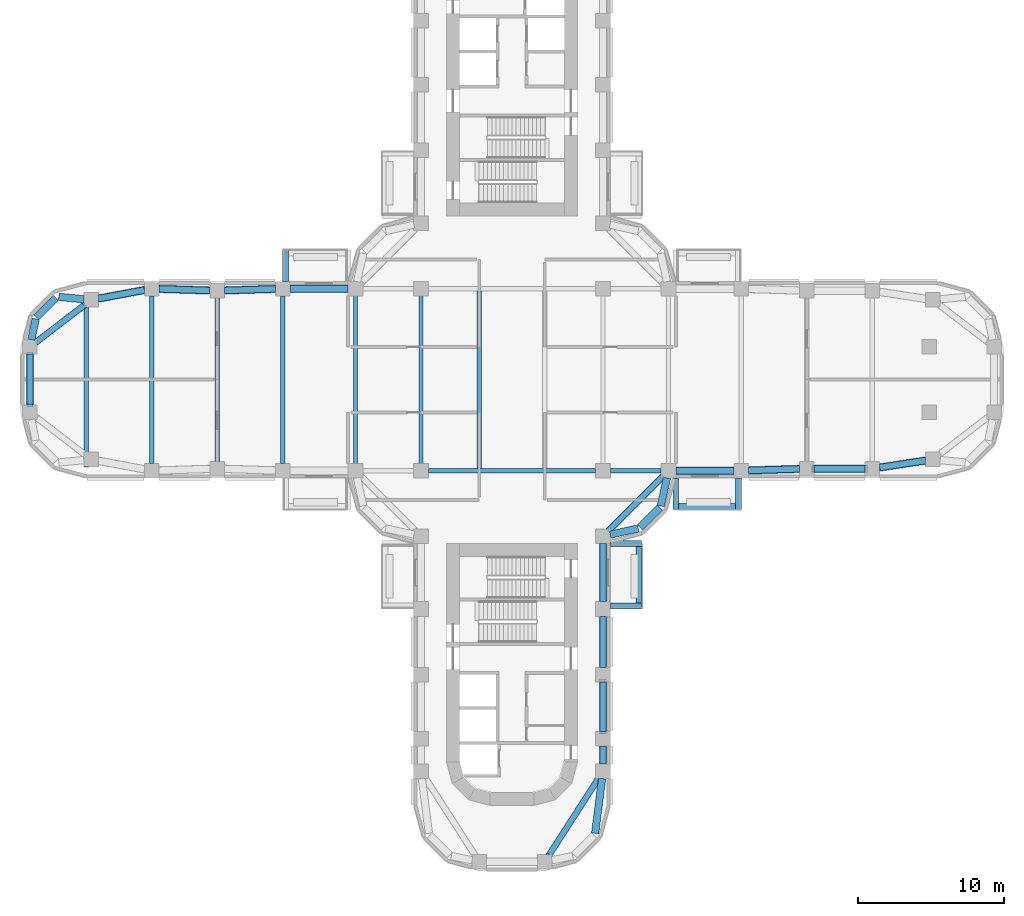
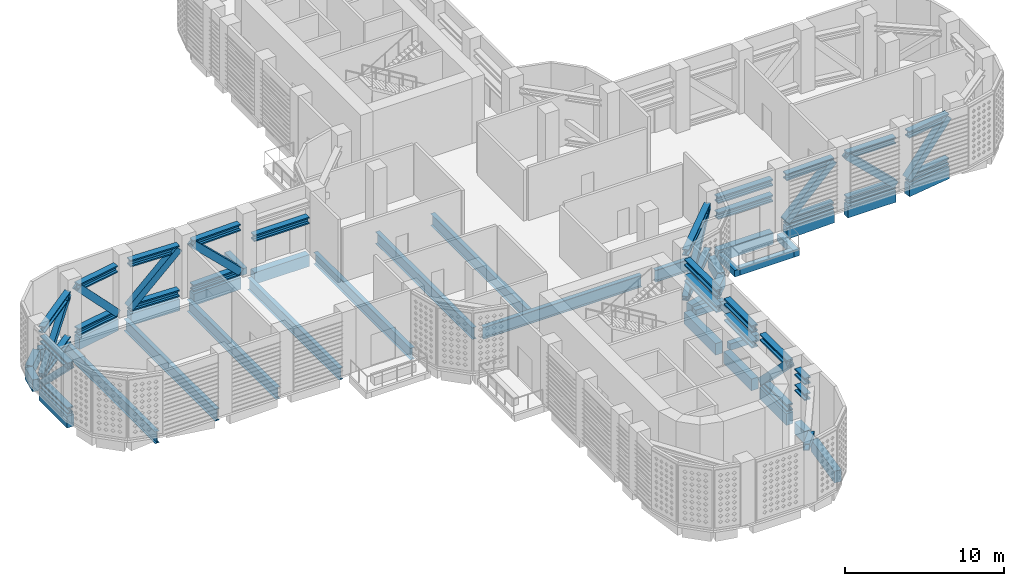
# One storey, part 2 of 20: 40 members, 36 beams.
"""IFC4 building model written with IfcOpenShell, lengths in metres."""

from ifc_helpers import new_model, si_unit, direction, frame, origin, origin_2d, place, context, subcontext, project, spatial, rectangle, hollow_rectangle, i_section, extrude, material, material_profile, profile_set, type_object, element, save


model = new_model("IFC4")

# Units and contexts
model_context = context("Model", 3, precision=1e-05, world=origin(), true_north=direction((0.0, 1.0)))
body_context = subcontext(model_context, "Body", "Model", "MODEL_VIEW")
ifc_project = project(units=[si_unit("LENGTHUNIT", "METRE"), si_unit("AREAUNIT", "SQUARE_METRE"), si_unit("VOLUMEUNIT", "CUBIC_METRE"), si_unit("PLANEANGLEUNIT", "RADIAN"), si_unit("MASSUNIT", "GRAM", prefix="KILO")], contexts=[model_context])

# Site, building, storey
site_placement = place(None, origin())
site = spatial("IfcSite", under=ifc_project, at=site_placement, CompositionType="ELEMENT")
building_placement = place(site_placement, origin())
building = spatial("IfcBuilding", under=site, at=building_placement, Name="Zarbagh Exchange Tower", CompositionType="ELEMENT")
storey_placement = place(building_placement, frame((0.0, 0.0, 81.60009765625)))
storey = spatial("IfcBuildingStorey", under=building, at=storey_placement, Name="L18", CompositionType="ELEMENT", Elevation=81.60009765625)

# Members
ifc_material_1 = material(Name="Steel ASTM A992 Gr 50", Category="steel")
ifc_material_profile_1 = material_profile(ifc_material_1, i_section(OverallWidth=0.4267578125, OverallDepth=0.482666015625, WebThickness=0.05126953125, FlangeThickness=0.08154296875, at=origin_2d()), Name="W14X455")
ifc_profile_set_1 = profile_set([ifc_material_profile_1], Name="Steel ASTM A992 Gr 50")
member_type_1 = type_object("IfcMemberType", Name="Belt truss chord W14X455", PredefinedType="CHORD", material=ifc_profile_set_1)
for number, where, z_axis, x_axis, name in (
    (1, (-33.110107421875, -1.75, 0.2412109375), (0.0, 1.0, 0.0), (-1.0, 0.0, 0.0), "Belt truss chord"),
    (2, (-33.110107421875, -1.75, 3.688720703125), (0.0, 1.0, 0.0), (-1.0, 0.0, 0.0), "Belt truss chord"),
):
    element("IfcMember", number, at=place(storey_placement, frame(where, z_axis=z_axis, x_axis=x_axis)), inside=storey, type_object=member_type_1, Name=name, PredefinedType="CHORD", context=body_context, shape_type="SweptSolid", body=[
        extrude(i_section(OverallWidth=0.4267578125, OverallDepth=0.482666015625, WebThickness=0.05126953125, FlangeThickness=0.08154296875, at=origin_2d()), origin(), (0.0, 0.0, 1.0), 3.5),
    ])
for number, where, z_axis, x_axis, name in (
    (3, (-32.71337890625, 2.554443359375, 0.2412109375), (0.79328252181, 0.608853710336, 0.0), (-0.608853710336, 0.79328252181, 0.0), "Belt truss chord"),
    (4, (-32.71337890625, 2.554443359375, 3.688720703125), (0.79328252181, 0.608853710336, 0.0), (-0.608853710336, 0.79328252181, 0.0), "Belt truss chord"),
):
    element("IfcMember", number, at=place(storey_placement, frame(where, z_axis=z_axis, x_axis=x_axis)), inside=storey, type_object=member_type_1, Name=name, PredefinedType="CHORD", context=body_context, shape_type="SweptSolid", body=[
        extrude(i_section(OverallWidth=0.4267578125, OverallDepth=0.482666015625, WebThickness=0.05126953125, FlangeThickness=0.08154296875, at=origin_2d()), origin(), (0.0, 0.0, 1.0), 4.296875),
    ])
for number, where, z_axis, x_axis, name in (
    (5, (10.396484375, -6.603515625, 0.2412109375), (-0.707106781187, -0.707106781187, 0.0), (0.707106781187, -0.707106781187, 0.0), "Belt truss chord"),
    (6, (10.396484375, -6.603515625, 3.688720703125), (-0.707106781187, -0.707106781187, 0.0), (0.707106781187, -0.707106781187, 0.0), "Belt truss chord"),
):
    element("IfcMember", number, at=place(storey_placement, frame(where, z_axis=z_axis, x_axis=x_axis)), inside=storey, type_object=member_type_1, Name=name, PredefinedType="CHORD", context=body_context, shape_type="SweptSolid", body=[
        extrude(i_section(OverallWidth=0.4267578125, OverallDepth=0.482666015625, WebThickness=0.05126953125, FlangeThickness=0.08154296875, at=origin_2d()), origin(), (0.0, 0.0, 1.0), 5.364013671875),
    ])
ifc_material_2 = material(Name="Steel ASTM A500 Gr C", Category="steel")
ifc_material_profile_2 = material_profile(ifc_material_2, hollow_rectangle(XDim=0.406494140625, YDim=0.406494140625, WallThickness=0.017578125, at=origin_2d()), Name="HSS16X16X3/4")
ifc_profile_set_2 = profile_set([ifc_material_profile_2], Name="Steel ASTM A500 Gr C")
member_type_2 = type_object("IfcMemberType", Name="Belt truss diagonal HSS16X16X3/4", PredefinedType="BRACE", material=ifc_profile_set_2)
member_1_placement = place(storey_placement, frame((-33.110107421875, 1.75, 0.2412109375), z_axis=(0.0, -0.712428822808, 0.701744378269), x_axis=(1.0, 0.0, 0.0)))
element("IfcMember", 7, at=member_1_placement, inside=storey, type_object=member_type_2, Name="Belt truss diagonal", PredefinedType="BRACE", context=body_context, shape_type="SweptSolid", body=[
    extrude(hollow_rectangle(XDim=0.406494140625, YDim=0.406494140625, WallThickness=0.017578125, at=origin_2d()), origin(), (0.0, 0.0, 1.0), 4.912841796875),
])
member_2_placement = place(storey_placement, frame((-32.71337890625, 2.554443359375, 0.2412109375), z_axis=(0.618749784996, 0.47489777224, 0.625796140519), x_axis=(-0.608853710336, 0.79328252181, 0.0)))
element("IfcMember", 8, at=member_2_placement, inside=storey, type_object=member_type_2, Name="Belt truss diagonal", PredefinedType="BRACE", context=body_context, shape_type="SweptSolid", body=[
    extrude(hollow_rectangle(XDim=0.406494140625, YDim=0.406494140625, WallThickness=0.017578125, at=origin_2d()), origin(), (0.0, 0.0, 1.0), 5.509033203125),
])
member_3_placement = place(storey_placement, frame((6.603515625, -10.396484375, 0.2412109375), z_axis=(0.594844341876, 0.594844341876, 0.540666642097), x_axis=(-0.707106781187, 0.707106781187, 0.0)))
element("IfcMember", 9, at=member_3_placement, inside=storey, type_object=member_type_2, Name="Belt truss diagonal", PredefinedType="BRACE", context=body_context, shape_type="SweptSolid", body=[
    extrude(hollow_rectangle(XDim=0.406494140625, YDim=0.406494140625, WallThickness=0.017578125, at=origin_2d()), origin(), (0.0, 0.0, 1.0), 6.37646484375),
])
member_4_placement = place(storey_placement, frame((5.979248046875, -27.3203125, 0.2412109375), z_axis=(-0.476516067922, -0.739800782281, 0.475002357414), x_axis=(0.840697493051, -0.541505055543, 0.0)))
element("IfcMember", 10, at=member_4_placement, inside=storey, type_object=member_type_2, Name="Belt truss diagonal", PredefinedType="BRACE", context=body_context, shape_type="SweptSolid", body=[
    extrude(hollow_rectangle(XDim=0.406494140625, YDim=0.406494140625, WallThickness=0.017578125, at=origin_2d()), origin(), (0.0, 0.0, 1.0), 7.2578125),
])

# Beams
ifc_material_profile_3 = material_profile(ifc_material_1, i_section(OverallWidth=0.3046875, OverallDepth=0.904296875, WebThickness=0.01513671875, FlangeThickness=0.02001953125, at=origin_2d()), Name="W36X135")
ifc_profile_set_3 = profile_set([ifc_material_profile_3], Name="Steel ASTM A992 Gr 50")
beam_type_1 = type_object("IfcBeamType", Name="Floor beam W36X135", PredefinedType="BEAM", material=ifc_profile_set_3)
for number, where, z_axis, x_axis, name in (
    (11, (-10.75, -6.09765625, -0.602294921875), (0.0, 1.0, 0.0), (-1.0, 0.0, 0.0), "Steel floor beam"),
    (12, (-6.25, -6.09765625, -0.602294921875), (0.0, 1.0, 0.0), (-1.0, 0.0, 0.0), "Steel floor beam"),
    (13, (-2.25, -6.09765625, -0.602294921875), (0.0, 1.0, 0.0), (-1.0, 0.0, 0.0), "Steel floor beam"),
):
    element("IfcBeam", number, at=place(storey_placement, frame(where, z_axis=z_axis, x_axis=x_axis)), inside=storey, type_object=beam_type_1, Name=name, PredefinedType="BEAM", context=body_context, shape_type="SweptSolid", body=[
        extrude(i_section(OverallWidth=0.3046875, OverallDepth=0.904296875, WebThickness=0.01513671875, FlangeThickness=0.02001953125, at=origin_2d()), origin(), (0.0, 0.0, 1.0), 12.1953125),
    ])
beam_1_placement = place(storey_placement, frame((-15.75, -5.75, -0.602294921875), z_axis=(0.0, 1.0, 0.0), x_axis=(-1.0, 0.0, 0.0)))
element("IfcBeam", 14, at=beam_1_placement, inside=storey, type_object=beam_type_1, Name="Steel floor beam", PredefinedType="BEAM", context=body_context, shape_type="SweptSolid", body=[
    extrude(i_section(OverallWidth=0.3046875, OverallDepth=0.904296875, WebThickness=0.01513671875, FlangeThickness=0.02001953125, at=origin_2d()), origin(), (0.0, 0.0, 1.0), 11.5),
])
beam_2_placement = place(storey_placement, frame((-20.25, -5.610107421875, -0.602294921875), z_axis=(0.0, 1.0, 0.0), x_axis=(-1.0, 0.0, 0.0)))
element("IfcBeam", 15, at=beam_2_placement, inside=storey, type_object=beam_type_1, Name="Steel floor beam", PredefinedType="BEAM", context=body_context, shape_type="SweptSolid", body=[
    extrude(i_section(OverallWidth=0.3046875, OverallDepth=0.904296875, WebThickness=0.01513671875, FlangeThickness=0.02001953125, at=origin_2d()), origin(), (0.0, 0.0, 1.0), 11.22021484375),
])
beam_3_placement = place(storey_placement, frame((-24.75, -5.75, -0.602294921875), z_axis=(0.0, 1.0, 0.0), x_axis=(-1.0, 0.0, 0.0)))
element("IfcBeam", 16, at=beam_3_placement, inside=storey, type_object=beam_type_1, Name="Steel floor beam", PredefinedType="BEAM", context=body_context, shape_type="SweptSolid", body=[
    extrude(i_section(OverallWidth=0.3046875, OverallDepth=0.904296875, WebThickness=0.01513671875, FlangeThickness=0.02001953125, at=origin_2d()), origin(), (0.0, 0.0, 1.0), 11.5),
])
beam_4_placement = place(storey_placement, frame((-29.25, -6.0, -0.602294921875), z_axis=(0.0, 1.0, 0.0), x_axis=(-1.0, 0.0, 0.0)))
element("IfcBeam", 17, at=beam_4_placement, inside=storey, type_object=beam_type_1, Name="Steel floor beam", PredefinedType="BEAM", context=body_context, shape_type="SweptSolid", body=[
    extrude(i_section(OverallWidth=0.3046875, OverallDepth=0.904296875, WebThickness=0.01513671875, FlangeThickness=0.02001953125, at=origin_2d()), origin(), (0.0, 0.0, 1.0), 12.0),
])
ifc_material_profile_4 = material_profile(ifc_material_1, i_section(OverallWidth=0.3046875, OverallDepth=0.91943359375, WebThickness=0.017333984375, FlangeThickness=0.02783203125, at=origin_2d()), Name="W36X170")
ifc_profile_set_4 = profile_set([ifc_material_profile_4], Name="Steel ASTM A992 Gr 50")
beam_type_2 = type_object("IfcBeamType", Name="Floor girder W36X170", PredefinedType="BEAM", material=ifc_profile_set_4)
beam_5_placement = place(storey_placement, frame((-5.75, -6.25, -0.60986328125), z_axis=(1.0, 0.0, 0.0), x_axis=(0.0, 1.0, 0.0)))
element("IfcBeam", 18, at=beam_5_placement, inside=storey, type_object=beam_type_2, Name="Steel girder", PredefinedType="BEAM", context=body_context, shape_type="SweptSolid", body=[
    extrude(i_section(OverallWidth=0.3046875, OverallDepth=0.91943359375, WebThickness=0.017333984375, FlangeThickness=0.02783203125, at=origin_2d()), origin(), (0.0, 0.0, 1.0), 11.5),
])
beam_6_placement = place(storey_placement, frame((6.75, -6.25, -0.60986328125), z_axis=(1.0, 0.0, 0.0), x_axis=(0.0, 1.0, 0.0)))
element("IfcBeam", 19, at=beam_6_placement, inside=storey, type_object=beam_type_2, Name="Steel girder", PredefinedType="BEAM", context=body_context, shape_type="SweptSolid", body=[
    extrude(i_section(OverallWidth=0.3046875, OverallDepth=0.91943359375, WebThickness=0.017333984375, FlangeThickness=0.02783203125, at=origin_2d()), origin(), (0.0, 0.0, 1.0), 3.5),
])

# Members
ifc_material_profile_5 = material_profile(ifc_material_1, i_section(OverallWidth=0.43701171875, OverallDepth=0.51318359375, WebThickness=0.060546875, FlangeThickness=0.096923828125, at=origin_2d()), Name="W14X550")
ifc_profile_set_5 = profile_set([ifc_material_profile_5], Name="Steel ASTM A992 Gr 50")
member_type_3 = type_object("IfcMemberType", Name="Outrigger truss chord W14X550", PredefinedType="CHORD", material=ifc_profile_set_5)
for number, where, z_axis, x_axis, name in (
    (20, (-28.41650390625, 5.566650390625, 0.256591796875), (0.983069300761, 0.183234139565, 0.0), (-0.183234139565, 0.983069300761, 0.0), "Outrigger truss chord"),
    (21, (-28.41650390625, 5.566650390625, 3.67333984375), (0.983069300761, 0.183234139565, 0.0), (-0.183234139565, 0.983069300761, 0.0), "Outrigger truss chord"),
):
    element("IfcMember", number, at=place(storey_placement, frame(where, z_axis=z_axis, x_axis=x_axis)), inside=storey, type_object=member_type_3, Name=name, PredefinedType="CHORD", context=body_context, shape_type="SweptSolid", body=[
        extrude(i_section(OverallWidth=0.43701171875, OverallDepth=0.51318359375, WebThickness=0.060546875, FlangeThickness=0.096923828125, at=origin_2d()), origin(), (0.0, 0.0, 1.0), 3.229736328125),
    ])
for number, where, z_axis, x_axis, name in (
    (22, (-24.250244140625, 6.234619140625, 0.256591796875), (0.999514385708, -0.031160756759, 0.0), (0.031160756759, 0.999514385708, 0.0), "Outrigger truss chord"),
    (23, (-24.250244140625, 6.234619140625, 3.67333984375), (0.999514385708, -0.031160756759, 0.0), (0.031160756759, 0.999514385708, 0.0), "Outrigger truss chord"),
    (24, (-19.750244140625, 6.12548828125, 0.256591796875), (0.999514385708, 0.031160756759, 0.0), (-0.031160756759, 0.999514385708, 0.0), "Outrigger truss chord"),
    (25, (-19.750244140625, 6.12548828125, 3.67333984375), (0.999514385708, 0.031160756759, 0.0), (-0.031160756759, 0.999514385708, 0.0), "Outrigger truss chord"),
):
    element("IfcMember", number, at=place(storey_placement, frame(where, z_axis=z_axis, x_axis=x_axis)), inside=storey, type_object=member_type_3, Name=name, PredefinedType="CHORD", context=body_context, shape_type="SweptSolid", body=[
        extrude(i_section(OverallWidth=0.43701171875, OverallDepth=0.51318359375, WebThickness=0.060546875, FlangeThickness=0.096923828125, at=origin_2d()), origin(), (0.0, 0.0, 1.0), 3.502197265625),
    ])
member_5_placement = place(storey_placement, frame((-15.25, 6.25, 2.45654296875), z_axis=(1.0, 0.0, 0.0), x_axis=(0.0, 1.0, 0.0)))
element("IfcMember", 26, at=member_5_placement, inside=storey, type_object=member_type_3, Name="Outrigger truss chord", PredefinedType="CHORD", context=body_context, shape_type="SweptSolid", body=[
    extrude(i_section(OverallWidth=0.43701171875, OverallDepth=0.51318359375, WebThickness=0.060546875, FlangeThickness=0.096923828125, at=origin_2d()), origin(), (0.0, 0.0, 1.0), 4.0),
])
for number, where, z_axis, x_axis, name in (
    (27, (28.413818359375, -5.550537109375, 0.256591796875), (-0.988545350976, -0.150924116903, 0.0), (0.150924116903, -0.988545350976, 0.0), "Outrigger truss chord"),
    (28, (28.413818359375, -5.550537109375, 3.67333984375), (-0.988545350976, -0.150924116903, 0.0), (0.150924116903, -0.988545350976, 0.0), "Outrigger truss chord"),
):
    element("IfcMember", number, at=place(storey_placement, frame(where, z_axis=z_axis, x_axis=x_axis)), inside=storey, type_object=member_type_3, Name=name, PredefinedType="CHORD", context=body_context, shape_type="SweptSolid", body=[
        extrude(i_section(OverallWidth=0.43701171875, OverallDepth=0.51318359375, WebThickness=0.060546875, FlangeThickness=0.096923828125, at=origin_2d()), origin(), (0.0, 0.0, 1.0), 3.2060546875),
    ])
for number, where, z_axis, x_axis, name in (
    (29, (24.25, -6.110107421875, 0.256591796875), (-1.0, 0.0, 0.0), (0.0, -1.0, 0.0), "Outrigger truss chord"),
    (30, (24.25, -6.110107421875, 3.67333984375), (-1.0, 0.0, 0.0), (0.0, -1.0, 0.0), "Outrigger truss chord"),
):
    element("IfcMember", number, at=place(storey_placement, frame(where, z_axis=z_axis, x_axis=x_axis)), inside=storey, type_object=member_type_3, Name=name, PredefinedType="CHORD", context=body_context, shape_type="SweptSolid", body=[
        extrude(i_section(OverallWidth=0.43701171875, OverallDepth=0.51318359375, WebThickness=0.060546875, FlangeThickness=0.096923828125, at=origin_2d()), origin(), (0.0, 0.0, 1.0), 3.5),
    ])
for number, where, z_axis, x_axis, name in (
    (31, (19.750244140625, -6.12548828125, 0.256591796875), (-0.999514385708, -0.031160756759, 0.0), (0.031160756759, -0.999514385708, 0.0), "Outrigger truss chord"),
    (32, (19.750244140625, -6.12548828125, 3.67333984375), (-0.999514385708, -0.031160756759, 0.0), (0.031160756759, -0.999514385708, 0.0), "Outrigger truss chord"),
):
    element("IfcMember", number, at=place(storey_placement, frame(where, z_axis=z_axis, x_axis=x_axis)), inside=storey, type_object=member_type_3, Name=name, PredefinedType="CHORD", context=body_context, shape_type="SweptSolid", body=[
        extrude(i_section(OverallWidth=0.43701171875, OverallDepth=0.51318359375, WebThickness=0.060546875, FlangeThickness=0.096923828125, at=origin_2d()), origin(), (0.0, 0.0, 1.0), 3.502197265625),
    ])
for number, where, z_axis, x_axis, name in (
    (33, (15.25, -6.25, 2.45654296875), (-1.0, 0.0, 0.0), (0.0, -1.0, 0.0), "Outrigger truss chord"),
    (34, (15.25, -6.25, 3.67333984375), (-1.0, 0.0, 0.0), (0.0, -1.0, 0.0), "Outrigger truss chord"),
    (35, (6.25, -11.25, 2.45654296875), (0.0, -1.0, 0.0), (1.0, 0.0, 0.0), "Outrigger truss chord"),
    (36, (6.25, -11.25, 3.67333984375), (0.0, -1.0, 0.0), (1.0, 0.0, 0.0), "Outrigger truss chord"),
):
    element("IfcMember", number, at=place(storey_placement, frame(where, z_axis=z_axis, x_axis=x_axis)), inside=storey, type_object=member_type_3, Name=name, PredefinedType="CHORD", context=body_context, shape_type="SweptSolid", body=[
        extrude(i_section(OverallWidth=0.43701171875, OverallDepth=0.51318359375, WebThickness=0.060546875, FlangeThickness=0.096923828125, at=origin_2d()), origin(), (0.0, 0.0, 1.0), 4.0),
    ])
for number, where, z_axis, x_axis, name in (
    (37, (6.25, -16.25, 2.45654296875), (0.0, -1.0, 0.0), (1.0, 0.0, 0.0), "Outrigger truss chord"),
    (38, (6.25, -16.25, 3.67333984375), (0.0, -1.0, 0.0), (1.0, 0.0, 0.0), "Outrigger truss chord"),
):
    element("IfcMember", number, at=place(storey_placement, frame(where, z_axis=z_axis, x_axis=x_axis)), inside=storey, type_object=member_type_3, Name=name, PredefinedType="CHORD", context=body_context, shape_type="SweptSolid", body=[
        extrude(i_section(OverallWidth=0.43701171875, OverallDepth=0.51318359375, WebThickness=0.060546875, FlangeThickness=0.096923828125, at=origin_2d()), origin(), (0.0, 0.0, 1.0), 3.5),
    ])
for number, where, z_axis, x_axis, name in (
    (39, (6.25, -20.75, 0.256591796875), (0.0, -1.0, 0.0), (1.0, 0.0, 0.0), "Outrigger truss chord"),
    (40, (6.25, -20.75, 3.67333984375), (0.0, -1.0, 0.0), (1.0, 0.0, 0.0), "Outrigger truss chord"),
):
    element("IfcMember", number, at=place(storey_placement, frame(where, z_axis=z_axis, x_axis=x_axis)), inside=storey, type_object=member_type_3, Name=name, PredefinedType="CHORD", context=body_context, shape_type="SweptSolid", body=[
        extrude(i_section(OverallWidth=0.43701171875, OverallDepth=0.51318359375, WebThickness=0.060546875, FlangeThickness=0.096923828125, at=origin_2d()), origin(), (0.0, 0.0, 1.0), 3.39990234375),
    ])
for number, where, z_axis, x_axis, name in (
    (41, (6.25, -25.14990234375, 2.45654296875), (0.0, -1.0, 0.0), (1.0, 0.0, 0.0), "Outrigger truss chord"),
    (42, (6.25, -25.14990234375, 3.67333984375), (0.0, -1.0, 0.0), (1.0, 0.0, 0.0), "Outrigger truss chord"),
):
    element("IfcMember", number, at=place(storey_placement, frame(where, z_axis=z_axis, x_axis=x_axis)), inside=storey, type_object=member_type_3, Name=name, PredefinedType="CHORD", context=body_context, shape_type="SweptSolid", body=[
        extrude(i_section(OverallWidth=0.43701171875, OverallDepth=0.51318359375, WebThickness=0.060546875, FlangeThickness=0.096923828125, at=origin_2d()), origin(), (0.0, 0.0, 1.0), 1.25),
    ])
ifc_material_3 = material(Name="Steel ASTM A1085 Grade A", Category="steel")
ifc_material_profile_6 = material_profile(ifc_material_3, hollow_rectangle(XDim=0.508056640625, YDim=0.508056640625, WallThickness=0.025390625, at=origin_2d()), Name="HSS20X20X1")
ifc_profile_set_6 = profile_set([ifc_material_profile_6], Name="Steel ASTM A1085 Grade A")
member_type_4 = type_object("IfcMemberType", Name="Outrigger truss diagonal HSS20X20X1", PredefinedType="BRACE", material=ifc_profile_set_6)
member_6_placement = place(storey_placement, frame((-25.241455078125, 6.158447265625, 0.256591796875), z_axis=(-0.675308083523, -0.125870572431, 0.726715619293), x_axis=(0.183234139565, -0.983069300761, 0.0)))
element("IfcMember", 43, at=member_6_placement, inside=storey, type_object=member_type_4, Name="Outrigger truss diagonal", PredefinedType="BRACE", context=body_context, shape_type="SweptSolid", body=[
    extrude(hollow_rectangle(XDim=0.508056640625, YDim=0.508056640625, WallThickness=0.025390625, at=origin_2d()), origin(), (0.0, 0.0, 1.0), 4.70166015625),
])
for number, where, z_axis, x_axis, name in (
    (44, (-24.250244140625, 6.234619140625, 0.256591796875), (0.715436570593, -0.022304376277, 0.698321579401), (0.031160756759, 0.999514385708, 0.0), "Outrigger truss diagonal"),
    (45, (-16.249755859375, 6.234619140625, 0.256591796875), (-0.715436570593, -0.022304376277, 0.698321579401), (0.031160756759, -0.999514385708, 0.0), "Outrigger truss diagonal"),
):
    element("IfcMember", number, at=place(storey_placement, frame(where, z_axis=z_axis, x_axis=x_axis)), inside=storey, type_object=member_type_4, Name=name, PredefinedType="BRACE", context=body_context, shape_type="SweptSolid", body=[
        extrude(hollow_rectangle(XDim=0.508056640625, YDim=0.508056640625, WallThickness=0.025390625, at=origin_2d()), origin(), (0.0, 0.0, 1.0), 4.892822265625),
    ])
member_7_placement = place(storey_placement, frame((25.244384765625, -6.034423828125, 0.256591796875), z_axis=(0.676438872604, 0.103273905831, 0.729222155453), x_axis=(-0.150924116903, 0.988545350976, 0.0)))
element("IfcMember", 46, at=member_7_placement, inside=storey, type_object=member_type_4, Name="Outrigger truss diagonal", PredefinedType="BRACE", context=body_context, shape_type="SweptSolid", body=[
    extrude(hollow_rectangle(XDim=0.508056640625, YDim=0.508056640625, WallThickness=0.025390625, at=origin_2d()), origin(), (0.0, 0.0, 1.0), 4.685546875),
])
member_8_placement = place(storey_placement, frame((24.25, -6.110107421875, 0.256591796875), z_axis=(-0.715565889259, 0.0, 0.698545244153), x_axis=(0.0, -1.0, 0.0)))
element("IfcMember", 47, at=member_8_placement, inside=storey, type_object=member_type_4, Name="Outrigger truss diagonal", PredefinedType="BRACE", context=body_context, shape_type="SweptSolid", body=[
    extrude(hollow_rectangle(XDim=0.508056640625, YDim=0.508056640625, WallThickness=0.025390625, at=origin_2d()), origin(), (0.0, 0.0, 1.0), 4.89111328125),
])
member_9_placement = place(storey_placement, frame((16.249755859375, -6.234619140625, 0.256591796875), z_axis=(0.715436570593, 0.022304376277, 0.698321579401), x_axis=(-0.031160756759, 0.999514385708, 0.0)))
element("IfcMember", 48, at=member_9_placement, inside=storey, type_object=member_type_4, Name="Outrigger truss diagonal", PredefinedType="BRACE", context=body_context, shape_type="SweptSolid", body=[
    extrude(hollow_rectangle(XDim=0.508056640625, YDim=0.508056640625, WallThickness=0.025390625, at=origin_2d()), origin(), (0.0, 0.0, 1.0), 4.892822265625),
])
member_10_placement = place(storey_placement, frame((6.25, -20.75, 0.256591796875), z_axis=(0.0, -0.705357183914, 0.708852060095), x_axis=(1.0, 0.0, 0.0)))
element("IfcMember", 49, at=member_10_placement, inside=storey, type_object=member_type_4, Name="Outrigger truss diagonal", PredefinedType="BRACE", context=body_context, shape_type="SweptSolid", body=[
    extrude(hollow_rectangle(XDim=0.508056640625, YDim=0.508056640625, WallThickness=0.025390625, at=origin_2d()), origin(), (0.0, 0.0, 1.0), 4.820068359375),
])

# Beams
ifc_material_4 = material(Name="Concrete C40/50", Category="concrete")
ifc_material_profile_7 = material_profile(ifc_material_4, rectangle(XDim=0.39990234375, YDim=0.5, at=origin_2d()), Name="RC bay edge beam 400 x 500 C40/50")
ifc_profile_set_7 = profile_set([ifc_material_profile_7], Name="Concrete C40/50")
beam_type_3 = type_object("IfcBeamType", Name="RC bay edge beam 400 x 500 C40/50", PredefinedType="BEAM", material=ifc_profile_set_7)
for number, where, z_axis, x_axis, name in (
    (50, (8.699951171875, -15.35009765625, -0.400146484375), (0.0, 1.0, 0.0), (-1.0, 0.0, 0.0), "RC bay edge beam"),
    (51, (11.449951171875, -8.699951171875, -0.400146484375), (1.0, 0.0, 0.0), (0.0, 1.0, 0.0), "RC bay edge beam"),
):
    element("IfcBeam", number, at=place(storey_placement, frame(where, z_axis=z_axis, x_axis=x_axis)), inside=storey, type_object=beam_type_3, Name=name, PredefinedType="BEAM", context=body_context, shape_type="SweptSolid", body=[
        extrude(rectangle(XDim=0.39990234375, YDim=0.5, at=origin_2d()), origin(), (0.0, 0.0, 1.0), 3.900146484375),
    ])
ifc_material_profile_8 = material_profile(ifc_material_4, rectangle(XDim=0.39990234375, YDim=0.5, at=origin_2d()), Name="RC cantilever beam 400 x 500 C40/50")
ifc_profile_set_8 = profile_set([ifc_material_profile_8], Name="Concrete C40/50")
beam_type_4 = type_object("IfcBeamType", Name="RC cantilever beam 400 x 500 C40/50", PredefinedType="BEAM", material=ifc_profile_set_8)
for number, where, z_axis, x_axis, name in (
    (52, (6.75, -15.550048828125, -0.400146484375), (1.0, 0.0, 0.0), (0.0, 1.0, 0.0), "RC cantilever beam"),
    (53, (6.75, -11.25, -0.400146484375), (1.0, 0.0, 0.0), (0.0, 1.0, 0.0), "RC cantilever beam"),
    (54, (11.25, -6.75, -0.400146484375), (0.0, -1.0, 0.0), (1.0, 0.0, 0.0), "RC cantilever beam"),
    (55, (15.550048828125, -6.75, -0.400146484375), (0.0, -1.0, 0.0), (1.0, 0.0, 0.0), "RC cantilever beam"),
    (56, (-15.550048828125, 6.75, -0.400146484375), (0.0, 1.0, 0.0), (-1.0, 0.0, 0.0), "RC cantilever beam"),
):
    element("IfcBeam", number, at=place(storey_placement, frame(where, z_axis=z_axis, x_axis=x_axis)), inside=storey, type_object=beam_type_4, Name=name, PredefinedType="BEAM", context=body_context, shape_type="SweptSolid", body=[
        extrude(rectangle(XDim=0.39990234375, YDim=0.5, at=origin_2d()), origin(), (0.0, 0.0, 1.0), 2.14990234375),
    ])
ifc_material_5 = material(Name="Concrete C60/75", Category="concrete")
ifc_material_profile_9 = material_profile(ifc_material_5, rectangle(XDim=0.5, YDim=0.89990234375, at=origin_2d()), Name="RC spandrel beam 500 x 900 C60/75")
ifc_profile_set_9 = profile_set([ifc_material_profile_9], Name="Concrete C60/75")
beam_type_5 = type_object("IfcBeamType", Name="RC spandrel beam 500 x 900 C60/75", PredefinedType="SPANDREL", material=ifc_profile_set_9)
beam_7_placement = place(storey_placement, frame((-33.110107421875, -1.75, -0.60009765625), z_axis=(0.0, 1.0, 0.0), x_axis=(-1.0, 0.0, 0.0)))
element("IfcBeam", 57, at=beam_7_placement, inside=storey, type_object=beam_type_5, Name="RC spandrel beam", PredefinedType="SPANDREL", context=body_context, shape_type="SweptSolid", body=[
    extrude(rectangle(XDim=0.5, YDim=0.89990234375, at=origin_2d()), origin(), (0.0, 0.0, 1.0), 3.5),
])
beam_8_placement = place(storey_placement, frame((-33.0087890625, 2.73974609375, -0.60009765625), z_axis=(0.202068589164, 0.9793713725, 0.0), x_axis=(-0.9793713725, 0.202068589164, 0.0)))
element("IfcBeam", 58, at=beam_8_placement, inside=storey, type_object=beam_type_5, Name="RC spandrel beam", PredefinedType="SPANDREL", context=body_context, shape_type="SweptSolid", body=[
    extrude(rectangle(XDim=0.5, YDim=0.89990234375, at=origin_2d()), origin(), (0.0, 0.0, 1.0), 1.458251953125),
])
beam_9_placement = place(storey_placement, frame((-32.64599609375, 4.294189453125, -0.60009765625), z_axis=(0.707172099812, 0.707041456527, 0.0), x_axis=(-0.707041456527, 0.707172099812, 0.0)))
element("IfcBeam", 59, at=beam_9_placement, inside=storey, type_object=beam_type_5, Name="RC spandrel beam", PredefinedType="SPANDREL", context=body_context, shape_type="SweptSolid", body=[
    extrude(rectangle(XDim=0.5, YDim=0.89990234375, at=origin_2d()), origin(), (0.0, 0.0, 1.0), 1.86865234375),
])
beam_10_placement = place(storey_placement, frame((-31.123779296875, 5.6875, -0.60009765625), z_axis=(0.995431032456, -0.095483294999, 0.0), x_axis=(0.095483294999, 0.995431032456, 0.0)))
element("IfcBeam", 60, at=beam_10_placement, inside=storey, type_object=beam_type_5, Name="RC spandrel beam", PredefinedType="SPANDREL", context=body_context, shape_type="SweptSolid", body=[
    extrude(rectangle(XDim=0.5, YDim=0.89990234375, at=origin_2d()), origin(), (0.0, 0.0, 1.0), 1.725830078125),
])
beam_11_placement = place(storey_placement, frame((-28.41650390625, 5.566650390625, -0.60009765625), z_axis=(0.983069300761, 0.183234139565, 0.0), x_axis=(-0.183234139565, 0.983069300761, 0.0)))
element("IfcBeam", 61, at=beam_11_placement, inside=storey, type_object=beam_type_5, Name="RC spandrel beam", PredefinedType="SPANDREL", context=body_context, shape_type="SweptSolid", body=[
    extrude(rectangle(XDim=0.5, YDim=0.89990234375, at=origin_2d()), origin(), (0.0, 0.0, 1.0), 3.229736328125),
])
for number, where, z_axis, x_axis, name in (
    (62, (-24.250244140625, 6.234619140625, -0.60009765625), (0.999514385708, -0.031160756759, 0.0), (0.031160756759, 0.999514385708, 0.0), "RC spandrel beam"),
    (63, (-19.750244140625, 6.12548828125, -0.60009765625), (0.999514385708, 0.031160756759, 0.0), (-0.031160756759, 0.999514385708, 0.0), "RC spandrel beam"),
):
    element("IfcBeam", number, at=place(storey_placement, frame(where, z_axis=z_axis, x_axis=x_axis)), inside=storey, type_object=beam_type_5, Name=name, PredefinedType="SPANDREL", context=body_context, shape_type="SweptSolid", body=[
        extrude(rectangle(XDim=0.5, YDim=0.89990234375, at=origin_2d()), origin(), (0.0, 0.0, 1.0), 3.502197265625),
    ])
beam_12_placement = place(storey_placement, frame((-15.25, 6.25, -0.60009765625), z_axis=(1.0, 0.0, 0.0), x_axis=(0.0, 1.0, 0.0)))
element("IfcBeam", 64, at=beam_12_placement, inside=storey, type_object=beam_type_5, Name="RC spandrel beam", PredefinedType="SPANDREL", context=body_context, shape_type="SweptSolid", body=[
    extrude(rectangle(XDim=0.5, YDim=0.89990234375, at=origin_2d()), origin(), (0.0, 0.0, 1.0), 4.0),
])
beam_13_placement = place(storey_placement, frame((28.413818359375, -5.550537109375, -0.60009765625), z_axis=(-0.988545350976, -0.150924116903, 0.0), x_axis=(0.150924116903, -0.988545350976, 0.0)))
element("IfcBeam", 65, at=beam_13_placement, inside=storey, type_object=beam_type_5, Name="RC spandrel beam", PredefinedType="SPANDREL", context=body_context, shape_type="SweptSolid", body=[
    extrude(rectangle(XDim=0.5, YDim=0.89990234375, at=origin_2d()), origin(), (0.0, 0.0, 1.0), 3.2060546875),
])
beam_14_placement = place(storey_placement, frame((24.25, -6.110107421875, -0.60009765625), z_axis=(-1.0, 0.0, 0.0), x_axis=(0.0, -1.0, 0.0)))
element("IfcBeam", 66, at=beam_14_placement, inside=storey, type_object=beam_type_5, Name="RC spandrel beam", PredefinedType="SPANDREL", context=body_context, shape_type="SweptSolid", body=[
    extrude(rectangle(XDim=0.5, YDim=0.89990234375, at=origin_2d()), origin(), (0.0, 0.0, 1.0), 3.5),
])
beam_15_placement = place(storey_placement, frame((19.750244140625, -6.12548828125, -0.60009765625), z_axis=(-0.999514385708, -0.031160756759, 0.0), x_axis=(0.031160756759, -0.999514385708, 0.0)))
element("IfcBeam", 67, at=beam_15_placement, inside=storey, type_object=beam_type_5, Name="RC spandrel beam", PredefinedType="SPANDREL", context=body_context, shape_type="SweptSolid", body=[
    extrude(rectangle(XDim=0.5, YDim=0.89990234375, at=origin_2d()), origin(), (0.0, 0.0, 1.0), 3.502197265625),
])
beam_16_placement = place(storey_placement, frame((15.25, -6.25, -0.60009765625), z_axis=(-1.0, 0.0, 0.0), x_axis=(0.0, -1.0, 0.0)))
element("IfcBeam", 68, at=beam_16_placement, inside=storey, type_object=beam_type_5, Name="RC spandrel beam", PredefinedType="SPANDREL", context=body_context, shape_type="SweptSolid", body=[
    extrude(rectangle(XDim=0.5, YDim=0.89990234375, at=origin_2d()), origin(), (0.0, 0.0, 1.0), 4.0),
])
beam_17_placement = place(storey_placement, frame((10.64208984375, -6.73828125, -0.60009765625), z_axis=(-0.216081063242, -0.976375426825, 0.0), x_axis=(0.976375426825, -0.216081063242, 0.0)))
element("IfcBeam", 69, at=beam_17_placement, inside=storey, type_object=beam_type_5, Name="RC spandrel beam", PredefinedType="SPANDREL", context=body_context, shape_type="SweptSolid", body=[
    extrude(rectangle(XDim=0.5, YDim=0.89990234375, at=origin_2d()), origin(), (0.0, 0.0, 1.0), 1.978271484375),
])
beam_18_placement = place(storey_placement, frame((10.147216796875, -8.792724609375, -0.60009765625), z_axis=(-0.707106781187, -0.707106781187, 0.0), x_axis=(0.707106781187, -0.707106781187, 0.0)))
element("IfcBeam", 70, at=beam_18_placement, inside=storey, type_object=beam_type_5, Name="RC spandrel beam", PredefinedType="SPANDREL", context=body_context, shape_type="SweptSolid", body=[
    extrude(rectangle(XDim=0.5, YDim=0.89990234375, at=origin_2d()), origin(), (0.0, 0.0, 1.0), 1.91552734375),
])
beam_19_placement = place(storey_placement, frame((8.669921875, -10.214599609375, -0.60009765625), z_axis=(-0.976375426825, -0.216081063242, 0.0), x_axis=(0.216081063242, -0.976375426825, 0.0)))
element("IfcBeam", 71, at=beam_19_placement, inside=storey, type_object=beam_type_5, Name="RC spandrel beam", PredefinedType="SPANDREL", context=body_context, shape_type="SweptSolid", body=[
    extrude(rectangle(XDim=0.5, YDim=0.89990234375, at=origin_2d()), origin(), (0.0, 0.0, 1.0), 1.978271484375),
])
beam_20_placement = place(storey_placement, frame((6.25, -11.25, -0.60009765625), z_axis=(0.0, -1.0, 0.0), x_axis=(1.0, 0.0, 0.0)))
element("IfcBeam", 72, at=beam_20_placement, inside=storey, type_object=beam_type_5, Name="RC spandrel beam", PredefinedType="SPANDREL", context=body_context, shape_type="SweptSolid", body=[
    extrude(rectangle(XDim=0.5, YDim=0.89990234375, at=origin_2d()), origin(), (0.0, 0.0, 1.0), 4.0),
])
beam_21_placement = place(storey_placement, frame((6.25, -16.25, -0.60009765625), z_axis=(0.0, -1.0, 0.0), x_axis=(1.0, 0.0, 0.0)))
element("IfcBeam", 73, at=beam_21_placement, inside=storey, type_object=beam_type_5, Name="RC spandrel beam", PredefinedType="SPANDREL", context=body_context, shape_type="SweptSolid", body=[
    extrude(rectangle(XDim=0.5, YDim=0.89990234375, at=origin_2d()), origin(), (0.0, 0.0, 1.0), 3.5),
])
beam_22_placement = place(storey_placement, frame((6.25, -20.75, -0.60009765625), z_axis=(0.0, -1.0, 0.0), x_axis=(1.0, 0.0, 0.0)))
element("IfcBeam", 74, at=beam_22_placement, inside=storey, type_object=beam_type_5, Name="RC spandrel beam", PredefinedType="SPANDREL", context=body_context, shape_type="SweptSolid", body=[
    extrude(rectangle(XDim=0.5, YDim=0.89990234375, at=origin_2d()), origin(), (0.0, 0.0, 1.0), 3.39990234375),
])
beam_23_placement = place(storey_placement, frame((6.25, -25.14990234375, -0.60009765625), z_axis=(0.0, -1.0, 0.0), x_axis=(1.0, 0.0, 0.0)))
element("IfcBeam", 75, at=beam_23_placement, inside=storey, type_object=beam_type_5, Name="RC spandrel beam", PredefinedType="SPANDREL", context=body_context, shape_type="SweptSolid", body=[
    extrude(rectangle(XDim=0.5, YDim=0.89990234375, at=origin_2d()), origin(), (0.0, 0.0, 1.0), 1.25),
])
beam_24_placement = place(storey_placement, frame((6.18701171875, -27.39599609375, -0.60009765625), z_axis=(-0.12591317752, -0.992041265133, 0.0), x_axis=(0.992041265133, -0.12591317752, 0.0)))
element("IfcBeam", 76, at=beam_24_placement, inside=storey, type_object=beam_type_5, Name="RC spandrel beam", PredefinedType="SPANDREL", context=body_context, shape_type="SweptSolid", body=[
    extrude(rectangle(XDim=0.5, YDim=0.89990234375, at=origin_2d()), origin(), (0.0, 0.0, 1.0), 3.790771484375),
])

save(model, "model.ifc")
